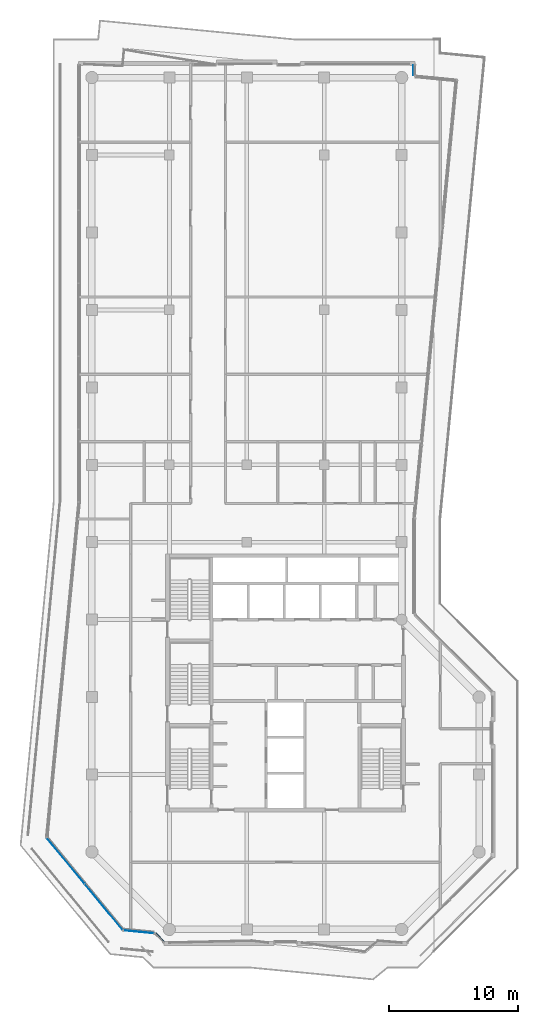
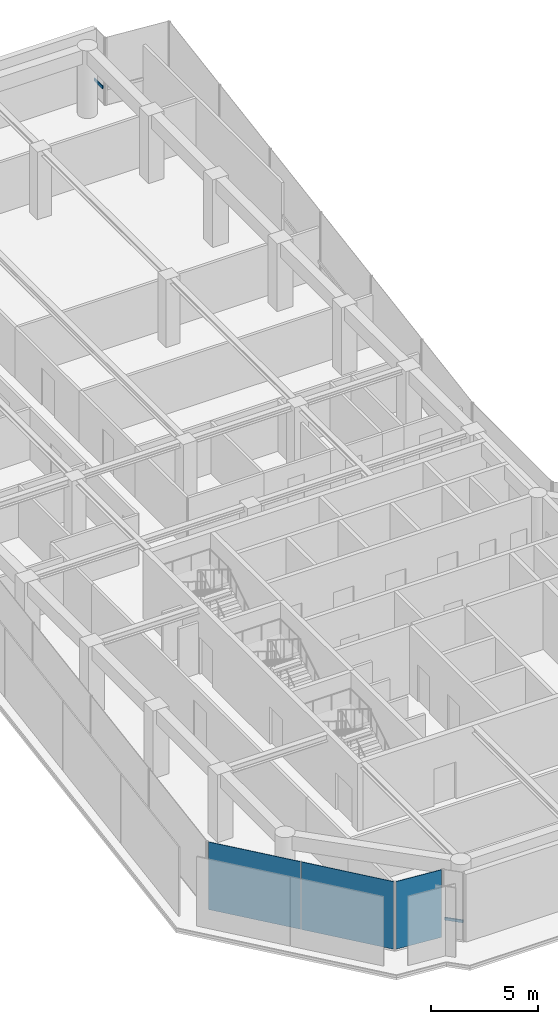
# One storey, part 17 of 25: 3 plates, 2 members, 4 elements without a shape of their own.
"""IFC4 building model written with IfcOpenShell, lengths in metres."""

from ifc_helpers import new_model, si_unit, direction, frame, origin, origin_2d, place, context, subcontext, project, spatial, rectangle, extrude, material, layer, layer_set, material_profile, profile_set, type_object, element, aggregate, save


model = new_model("IFC4")

# Units and contexts
model_context = context("Model", 3, precision=1e-05, world=origin(), true_north=direction((0.0, 1.0)))
body_context = subcontext(model_context, "Body", "Model", "MODEL_VIEW")
ifc_project = project(units=[si_unit("LENGTHUNIT", "METRE"), si_unit("AREAUNIT", "SQUARE_METRE"), si_unit("VOLUMEUNIT", "CUBIC_METRE"), si_unit("PLANEANGLEUNIT", "RADIAN"), si_unit("MASSUNIT", "GRAM", prefix="KILO")], contexts=[model_context])

# Site, building, storey
site_placement = place(None, origin())
site = spatial("IfcSite", under=ifc_project, at=site_placement, CompositionType="ELEMENT")
building_placement = place(site_placement, origin())
building = spatial("IfcBuilding", under=site, at=building_placement, Name="Welwitschia Terrace Campus", CompositionType="ELEMENT")
storey_placement = place(building_placement, frame((0.0, 0.0, 264.199951171875)))
storey = spatial("IfcBuildingStorey", under=building, at=storey_placement, Name="L58", CompositionType="ELEMENT", Elevation=264.199951171875)

# Curtain wall, member
ifc_material_1 = material(Name="Bronze anodised aluminium", Category="aluminium")
ifc_layer_1 = layer(ifc_material_1, 0.1201171875)
ifc_layer_set_1 = layer_set([ifc_layer_1], Name="Bronze anodised aluminium")
curtain_wall_type = type_object("IfcCurtainWallType", Name="Curtain wall CW2 tower 6000", PredefinedType="NOTDEFINED", material=ifc_layer_set_1)
curtain_wall_1_placement = place(storey_placement, origin())
curtain_wall_1 = element("IfcCurtainWall", 1, at=curtain_wall_1_placement, inside=storey, type_object=curtain_wall_type, Name="CW L58.4.0", PredefinedType="NOTDEFINED")
ifc_material_2 = material(Name="Bronze anodised aluminium", Category="aluminium")
ifc_material_profile = material_profile(ifc_material_2, rectangle(XDim=0.06005859375, YDim=0.14990234375, at=origin_2d()))
ifc_profile_set = profile_set([ifc_material_profile], Name="Bronze anodised aluminium")
member_type = type_object("IfcMemberType", Name="Transom 60x150", PredefinedType="USERDEFINED", material=ifc_profile_set)
member_1_placement = place(storey_placement, frame((4.95556640625, -4.284912109375, 1.0), z_axis=(0.707106781187, -0.707106781187, 0.0), x_axis=(0.707106781187, 0.707106781187, 0.0)))
member_1 = element("IfcMember", 2, at=member_1_placement, type_object=member_type, Name="Transom L58.4.0", ObjectType="TRANSOM", PredefinedType="USERDEFINED", context=body_context, shape_type="SweptSolid", body=[
    extrude(rectangle(XDim=0.06005859375, YDim=0.14990234375, at=origin_2d()), origin(), (0.0, 0.0, 1.0), 0.903564453125),
])
aggregate(curtain_wall_1, [member_1])

curtain_wall_2_placement = place(storey_placement, origin())
curtain_wall_2 = element("IfcCurtainWall", 3, at=curtain_wall_2_placement, inside=storey, type_object=curtain_wall_type, Name="CW L58.12.0", PredefinedType="NOTDEFINED")
member_2_placement = place(storey_placement, frame((24.93994140625, 62.185546875, 1.0), z_axis=(0.0, 1.0, 0.0), x_axis=(-1.0, 0.0, 0.0)))
member_2 = element("IfcMember", 4, at=member_2_placement, type_object=member_type, Name="Transom L58.12.0", ObjectType="TRANSOM", PredefinedType="USERDEFINED", context=body_context, shape_type="SweptSolid", body=[
    extrude(rectangle(XDim=0.06005859375, YDim=0.14990234375, at=origin_2d()), origin(), (0.0, 0.0, 1.0), 0.784423828125),
])
aggregate(curtain_wall_2, [member_2])

# Curtain wall, plates
curtain_wall_3_placement = place(storey_placement, origin())
curtain_wall_3 = element("IfcCurtainWall", 5, at=curtain_wall_3_placement, inside=storey, type_object=curtain_wall_type, Name="CW L58.2.0", PredefinedType="NOTDEFINED")
ifc_material_3 = material(Name="Tinted bronze-grey glass", Category="glass")
ifc_layer_2 = layer(ifc_material_3, 0.028076171875)
ifc_layer_set_2 = layer_set([ifc_layer_2], Name="Tinted bronze-grey glass")
plate_type = type_object("IfcPlateType", Name="Glass panel 28 tinted", PredefinedType="CURTAIN_PANEL", material=ifc_layer_set_2)
plate_1_placement = place(storey_placement, frame((-2.036376953125, 1.32177734375, 0.0), z_axis=(0.0, 0.0, 1.0), x_axis=(0.636078220278, -0.771624583388, 0.0)))
plate_1 = element("IfcPlate", 6, at=plate_1_placement, type_object=plate_type, Name="Panel L58.2.0.0", PredefinedType="CURTAIN_PANEL", context=body_context, shape_type="SweptSolid", body=[
    extrude(rectangle(XDim=4.579345703125, YDim=0.028076171875, at=origin_2d()), origin(), (0.0, 0.0, 1.0), 3.85009765625),
])
plate_2_placement = place(storey_placement, frame((0.91455078125, -2.258056640625, 0.0), z_axis=(0.0, 0.0, 1.0), x_axis=(0.636078220278, -0.771624583388, 0.0)))
plate_2 = element("IfcPlate", 7, at=plate_2_placement, type_object=plate_type, Name="Panel L58.2.0.1", PredefinedType="CURTAIN_PANEL", context=body_context, shape_type="SweptSolid", body=[
    extrude(rectangle(XDim=4.579345703125, YDim=0.028076171875, at=origin_2d()), origin(), (0.0, 0.0, 1.0), 3.85009765625),
])
aggregate(curtain_wall_3, [plate_1, plate_2])

# Curtain wall, plate
curtain_wall_4_placement = place(storey_placement, origin())
curtain_wall_4 = element("IfcCurtainWall", 8, at=curtain_wall_4_placement, inside=storey, type_object=curtain_wall_type, Name="CW L58.3.0", PredefinedType="NOTDEFINED")
plate_3_placement = place(storey_placement, frame((3.629150390625, -4.1884765625, 0.0), z_axis=(0.0, 0.0, 1.0), x_axis=(0.995396198367, -0.09584575252, 0.0)))
plate_3 = element("IfcPlate", 9, at=plate_3_placement, type_object=plate_type, Name="Panel L58.3.0.0", PredefinedType="CURTAIN_PANEL", context=body_context, shape_type="SweptSolid", body=[
    extrude(rectangle(XDim=2.33154296875, YDim=0.028076171875, at=origin_2d()), origin(), (0.0, 0.0, 1.0), 3.85009765625),
])
aggregate(curtain_wall_4, [plate_3])

save(model, "model.ifc")
